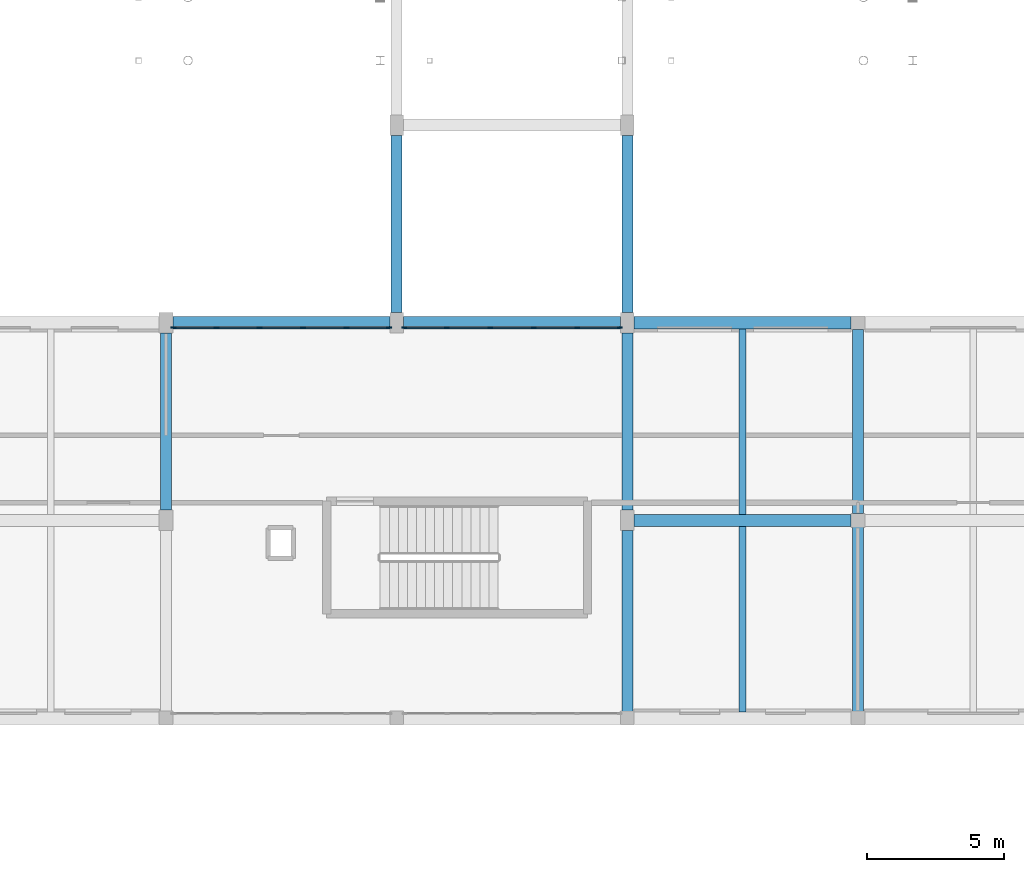
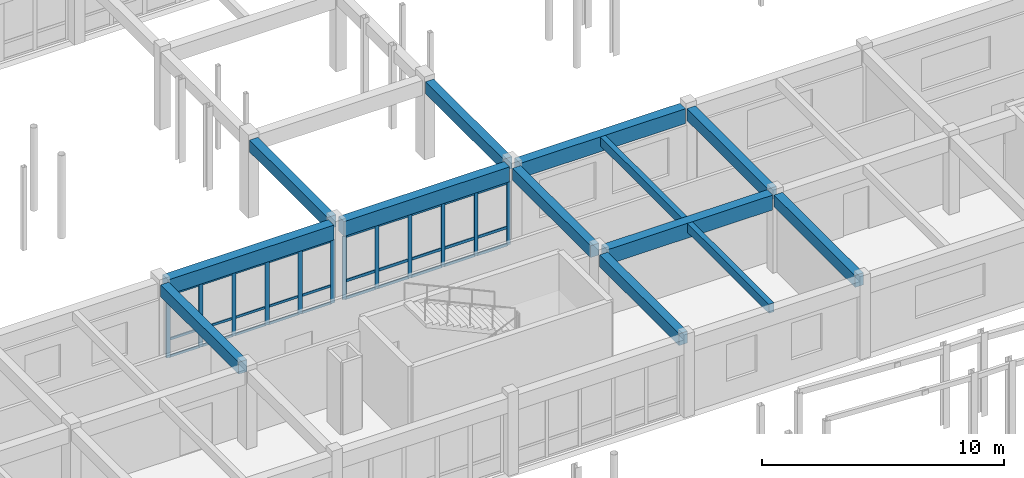
# One storey, part 46 of 90: 42 members, 13 beams, 2 elements without a shape of their own.
"""IFC4 building model written with IfcOpenShell, lengths in metres."""

from ifc_helpers import new_model, si_unit, direction, frame, origin, origin_2d, place, context, subcontext, project, spatial, rectangle, extrude, material, material_profile, profile_set, type_object, element, aggregate, save


model = new_model("IFC4")

# Units and contexts
model_context = context("Model", 3, precision=1e-05, world=origin(), true_north=direction((0.0, 1.0)))
body_context = subcontext(model_context, "Body", "Model", "MODEL_VIEW")
ifc_project = project(units=[si_unit("LENGTHUNIT", "METRE"), si_unit("AREAUNIT", "SQUARE_METRE"), si_unit("VOLUMEUNIT", "CUBIC_METRE"), si_unit("PLANEANGLEUNIT", "RADIAN"), si_unit("MASSUNIT", "GRAM", prefix="KILO")], contexts=[model_context])

# Site, building, storey
site_placement = place(None, origin())
site = spatial("IfcSite", under=ifc_project, at=site_placement, CompositionType="ELEMENT")
building_placement = place(site_placement, origin())
building = spatial("IfcBuilding", under=site, at=building_placement, Name="Malvenik Polytechnic", CompositionType="ELEMENT")
storey_placement = place(building_placement, frame((0.0, 0.0, 9.300048828125)))
storey = spatial("IfcBuildingStorey", under=building, at=storey_placement, Name="L02", CompositionType="ELEMENT", Elevation=9.300048828125)

# Curtain wall, members
ifc_material_1 = material(Name="Anodised aluminium 6060-T6", Category="aluminium")
curtain_wall_type = type_object("IfcCurtainWallType", Name="ARC-CW-CW-03", PredefinedType="NOTDEFINED", material=ifc_material_1)
curtain_wall_1_placement = place(storey_placement, origin())
curtain_wall_1 = element("IfcCurtainWall", 1, at=curtain_wall_1_placement, inside=storey, type_object=curtain_wall_type, Name="Unitised Curtain Wall CW-03 L02 #154", PredefinedType="NOTDEFINED")
ifc_material_2 = material(Name="Anodised aluminium", Category="aluminium")
ifc_material_profile_1 = material_profile(ifc_material_2, rectangle(XDim=0.06005859375, YDim=0.179931640625, at=origin_2d()), Name="ALU MULLION 60x180")
ifc_profile_set_1 = profile_set([ifc_material_profile_1], Name="Anodised aluminium")
member_type_1 = type_object("IfcMemberType", Name="ARC-CWM-180", PredefinedType="MULLION", material=ifc_profile_set_1)
member_1_placement = place(storey_placement, frame((75.8779296875, 93.429931640625, 0.0), z_axis=(0.0, 0.0, 1.0), x_axis=(0.0, 1.0, 0.0)))
member_1 = element("IfcMember", 2, at=member_1_placement, type_object=member_type_1, Name="CW-03 mullion 1", PredefinedType="MULLION", context=body_context, shape_type="SweptSolid", body=[
    extrude(rectangle(XDim=0.06005859375, YDim=0.179931640625, at=origin_2d()), origin(), (0.0, 0.0, 1.0), 3.179931640625),
])
member_2_placement = place(storey_placement, frame((77.4287109375, 93.429931640625, 0.0), z_axis=(0.0, 0.0, 1.0), x_axis=(0.0, 1.0, 0.0)))
member_2 = element("IfcMember", 3, at=member_2_placement, type_object=member_type_1, Name="CW-03 mullion 2", PredefinedType="MULLION", context=body_context, shape_type="SweptSolid", body=[
    extrude(rectangle(XDim=0.06005859375, YDim=0.179931640625, at=origin_2d()), origin(), (0.0, 0.0, 1.0), 3.179931640625),
])
member_3_placement = place(storey_placement, frame((79.009521484375, 93.429931640625, 0.0), z_axis=(0.0, 0.0, 1.0), x_axis=(0.0, 1.0, 0.0)))
member_3 = element("IfcMember", 4, at=member_3_placement, type_object=member_type_1, Name="CW-03 mullion 3", PredefinedType="MULLION", context=body_context, shape_type="SweptSolid", body=[
    extrude(rectangle(XDim=0.06005859375, YDim=0.179931640625, at=origin_2d()), origin(), (0.0, 0.0, 1.0), 3.179931640625),
])
member_4_placement = place(storey_placement, frame((80.59033203125, 93.429931640625, 0.0), z_axis=(0.0, 0.0, 1.0), x_axis=(0.0, 1.0, 0.0)))
member_4 = element("IfcMember", 5, at=member_4_placement, type_object=member_type_1, Name="CW-03 mullion 4", PredefinedType="MULLION", context=body_context, shape_type="SweptSolid", body=[
    extrude(rectangle(XDim=0.06005859375, YDim=0.179931640625, at=origin_2d()), origin(), (0.0, 0.0, 1.0), 3.179931640625),
])
member_5_placement = place(storey_placement, frame((82.171142578125, 93.429931640625, 0.0), z_axis=(0.0, 0.0, 1.0), x_axis=(0.0, 1.0, 0.0)))
member_5 = element("IfcMember", 6, at=member_5_placement, type_object=member_type_1, Name="CW-03 mullion 5", PredefinedType="MULLION", context=body_context, shape_type="SweptSolid", body=[
    extrude(rectangle(XDim=0.06005859375, YDim=0.179931640625, at=origin_2d()), origin(), (0.0, 0.0, 1.0), 3.179931640625),
])
member_6_placement = place(storey_placement, frame((83.721923828125, 93.429931640625, 0.0), z_axis=(0.0, 0.0, 1.0), x_axis=(0.0, 1.0, 0.0)))
member_6 = element("IfcMember", 7, at=member_6_placement, type_object=member_type_1, Name="CW-03 mullion 6", PredefinedType="MULLION", context=body_context, shape_type="SweptSolid", body=[
    extrude(rectangle(XDim=0.06005859375, YDim=0.179931640625, at=origin_2d()), origin(), (0.0, 0.0, 1.0), 3.179931640625),
])

curtain_wall_2_placement = place(storey_placement, origin())
curtain_wall_2 = element("IfcCurtainWall", 8, at=curtain_wall_2_placement, inside=storey, type_object=curtain_wall_type, Name="Unitised Curtain Wall CW-03 L02 #153", PredefinedType="NOTDEFINED")
ifc_material_profile_2 = material_profile(ifc_material_2, rectangle(XDim=0.06005859375, YDim=0.199951171875, at=origin_2d()), Name="ALU MULLION 60x200")
ifc_profile_set_2 = profile_set([ifc_material_profile_2], Name="Anodised aluminium")
member_type_2 = type_object("IfcMemberType", Name="ARC-CWM-200", PredefinedType="MULLION", material=ifc_profile_set_2)
member_7_placement = place(storey_placement, frame((67.47802734375, 93.429931640625, 0.0), z_axis=(0.0, 0.0, 1.0), x_axis=(0.0, 1.0, 0.0)))
member_7 = element("IfcMember", 9, at=member_7_placement, type_object=member_type_2, Name="CW-03 mullion 1", PredefinedType="MULLION", context=body_context, shape_type="SweptSolid", body=[
    extrude(rectangle(XDim=0.06005859375, YDim=0.199951171875, at=origin_2d()), origin(), (0.0, 0.0, 1.0), 3.179931640625),
])
member_8_placement = place(storey_placement, frame((69.02880859375, 93.429931640625, 0.0), z_axis=(0.0, 0.0, 1.0), x_axis=(0.0, 1.0, 0.0)))
member_8 = element("IfcMember", 10, at=member_8_placement, type_object=member_type_2, Name="CW-03 mullion 2", PredefinedType="MULLION", context=body_context, shape_type="SweptSolid", body=[
    extrude(rectangle(XDim=0.06005859375, YDim=0.199951171875, at=origin_2d()), origin(), (0.0, 0.0, 1.0), 3.179931640625),
])
member_9_placement = place(storey_placement, frame((70.609619140625, 93.429931640625, 0.0), z_axis=(0.0, 0.0, 1.0), x_axis=(0.0, 1.0, 0.0)))
member_9 = element("IfcMember", 11, at=member_9_placement, type_object=member_type_2, Name="CW-03 mullion 3", PredefinedType="MULLION", context=body_context, shape_type="SweptSolid", body=[
    extrude(rectangle(XDim=0.06005859375, YDim=0.199951171875, at=origin_2d()), origin(), (0.0, 0.0, 1.0), 3.179931640625),
])
member_10_placement = place(storey_placement, frame((72.1904296875, 93.429931640625, 0.0), z_axis=(0.0, 0.0, 1.0), x_axis=(0.0, 1.0, 0.0)))
member_10 = element("IfcMember", 12, at=member_10_placement, type_object=member_type_2, Name="CW-03 mullion 4", PredefinedType="MULLION", context=body_context, shape_type="SweptSolid", body=[
    extrude(rectangle(XDim=0.06005859375, YDim=0.199951171875, at=origin_2d()), origin(), (0.0, 0.0, 1.0), 3.179931640625),
])
member_11_placement = place(storey_placement, frame((73.771240234375, 93.429931640625, 0.0), z_axis=(0.0, 0.0, 1.0), x_axis=(0.0, 1.0, 0.0)))
member_11 = element("IfcMember", 13, at=member_11_placement, type_object=member_type_2, Name="CW-03 mullion 5", PredefinedType="MULLION", context=body_context, shape_type="SweptSolid", body=[
    extrude(rectangle(XDim=0.06005859375, YDim=0.199951171875, at=origin_2d()), origin(), (0.0, 0.0, 1.0), 3.179931640625),
])
member_12_placement = place(storey_placement, frame((75.322021484375, 93.429931640625, 0.0), z_axis=(0.0, 0.0, 1.0), x_axis=(0.0, 1.0, 0.0)))
member_12 = element("IfcMember", 14, at=member_12_placement, type_object=member_type_2, Name="CW-03 mullion 6", PredefinedType="MULLION", context=body_context, shape_type="SweptSolid", body=[
    extrude(rectangle(XDim=0.06005859375, YDim=0.199951171875, at=origin_2d()), origin(), (0.0, 0.0, 1.0), 3.179931640625),
])
ifc_material_profile_3 = material_profile(ifc_material_2, rectangle(XDim=0.06005859375, YDim=0.1201171875, at=origin_2d()), Name="ALU TRANSOM 60x120")
ifc_profile_set_3 = profile_set([ifc_material_profile_3], Name="Anodised aluminium")
member_type_3 = type_object("IfcMemberType", Name="ARC-CWT-120", PredefinedType="USERDEFINED", material=ifc_profile_set_3)
member_13_placement = place(storey_placement, frame((67.508056640625, 93.429931640625, 0.030029296875), z_axis=(1.0, 0.0, 0.0), x_axis=(0.0, 1.0, 0.0)))
member_13 = element("IfcMember", 15, at=member_13_placement, type_object=member_type_3, Name="CW-03 transom 1.1", ObjectType="TRANSOM", PredefinedType="USERDEFINED", context=body_context, shape_type="SweptSolid", body=[
    extrude(rectangle(XDim=0.06005859375, YDim=0.1201171875, at=origin_2d()), origin(), (0.0, 0.0, 1.0), 1.49072265625),
])
member_14_placement = place(storey_placement, frame((67.508056640625, 93.429931640625, 0.89990234375), z_axis=(1.0, 0.0, 0.0), x_axis=(0.0, 1.0, 0.0)))
member_14 = element("IfcMember", 16, at=member_14_placement, type_object=member_type_3, Name="CW-03 transom 1.2", ObjectType="TRANSOM", PredefinedType="USERDEFINED", context=body_context, shape_type="SweptSolid", body=[
    extrude(rectangle(XDim=0.06005859375, YDim=0.1201171875, at=origin_2d()), origin(), (0.0, 0.0, 1.0), 1.49072265625),
])
member_15_placement = place(storey_placement, frame((67.508056640625, 93.429931640625, 3.14990234375), z_axis=(1.0, 0.0, 0.0), x_axis=(0.0, 1.0, 0.0)))
member_15 = element("IfcMember", 17, at=member_15_placement, type_object=member_type_3, Name="CW-03 transom 1.3", ObjectType="TRANSOM", PredefinedType="USERDEFINED", context=body_context, shape_type="SweptSolid", body=[
    extrude(rectangle(XDim=0.06005859375, YDim=0.1201171875, at=origin_2d()), origin(), (0.0, 0.0, 1.0), 1.49072265625),
])
member_16_placement = place(storey_placement, frame((69.058837890625, 93.429931640625, 0.030029296875), z_axis=(1.0, 0.0, 0.0), x_axis=(0.0, 1.0, 0.0)))
member_16 = element("IfcMember", 18, at=member_16_placement, type_object=member_type_3, Name="CW-03 transom 2.1", ObjectType="TRANSOM", PredefinedType="USERDEFINED", context=body_context, shape_type="SweptSolid", body=[
    extrude(rectangle(XDim=0.06005859375, YDim=0.1201171875, at=origin_2d()), origin(), (0.0, 0.0, 1.0), 1.520751953125),
])
member_17_placement = place(storey_placement, frame((69.058837890625, 93.429931640625, 0.89990234375), z_axis=(1.0, 0.0, 0.0), x_axis=(0.0, 1.0, 0.0)))
member_17 = element("IfcMember", 19, at=member_17_placement, type_object=member_type_3, Name="CW-03 transom 2.2", ObjectType="TRANSOM", PredefinedType="USERDEFINED", context=body_context, shape_type="SweptSolid", body=[
    extrude(rectangle(XDim=0.06005859375, YDim=0.1201171875, at=origin_2d()), origin(), (0.0, 0.0, 1.0), 1.520751953125),
])
member_18_placement = place(storey_placement, frame((69.058837890625, 93.429931640625, 3.14990234375), z_axis=(1.0, 0.0, 0.0), x_axis=(0.0, 1.0, 0.0)))
member_18 = element("IfcMember", 20, at=member_18_placement, type_object=member_type_3, Name="CW-03 transom 2.3", ObjectType="TRANSOM", PredefinedType="USERDEFINED", context=body_context, shape_type="SweptSolid", body=[
    extrude(rectangle(XDim=0.06005859375, YDim=0.1201171875, at=origin_2d()), origin(), (0.0, 0.0, 1.0), 1.520751953125),
])
member_19_placement = place(storey_placement, frame((70.6396484375, 93.429931640625, 0.030029296875), z_axis=(1.0, 0.0, 0.0), x_axis=(0.0, 1.0, 0.0)))
member_19 = element("IfcMember", 21, at=member_19_placement, type_object=member_type_3, Name="CW-03 transom 3.1", ObjectType="TRANSOM", PredefinedType="USERDEFINED", context=body_context, shape_type="SweptSolid", body=[
    extrude(rectangle(XDim=0.06005859375, YDim=0.1201171875, at=origin_2d()), origin(), (0.0, 0.0, 1.0), 1.520751953125),
])
member_20_placement = place(storey_placement, frame((70.6396484375, 93.429931640625, 0.89990234375), z_axis=(1.0, 0.0, 0.0), x_axis=(0.0, 1.0, 0.0)))
member_20 = element("IfcMember", 22, at=member_20_placement, type_object=member_type_3, Name="CW-03 transom 3.2", ObjectType="TRANSOM", PredefinedType="USERDEFINED", context=body_context, shape_type="SweptSolid", body=[
    extrude(rectangle(XDim=0.06005859375, YDim=0.1201171875, at=origin_2d()), origin(), (0.0, 0.0, 1.0), 1.520751953125),
])
member_21_placement = place(storey_placement, frame((70.6396484375, 93.429931640625, 3.14990234375), z_axis=(1.0, 0.0, 0.0), x_axis=(0.0, 1.0, 0.0)))
member_21 = element("IfcMember", 23, at=member_21_placement, type_object=member_type_3, Name="CW-03 transom 3.3", ObjectType="TRANSOM", PredefinedType="USERDEFINED", context=body_context, shape_type="SweptSolid", body=[
    extrude(rectangle(XDim=0.06005859375, YDim=0.1201171875, at=origin_2d()), origin(), (0.0, 0.0, 1.0), 1.520751953125),
])
member_22_placement = place(storey_placement, frame((72.220458984375, 93.429931640625, 0.030029296875), z_axis=(1.0, 0.0, 0.0), x_axis=(0.0, 1.0, 0.0)))
member_22 = element("IfcMember", 24, at=member_22_placement, type_object=member_type_3, Name="CW-03 transom 4.1", ObjectType="TRANSOM", PredefinedType="USERDEFINED", context=body_context, shape_type="SweptSolid", body=[
    extrude(rectangle(XDim=0.06005859375, YDim=0.1201171875, at=origin_2d()), origin(), (0.0, 0.0, 1.0), 1.520751953125),
])
member_23_placement = place(storey_placement, frame((72.220458984375, 93.429931640625, 0.89990234375), z_axis=(1.0, 0.0, 0.0), x_axis=(0.0, 1.0, 0.0)))
member_23 = element("IfcMember", 25, at=member_23_placement, type_object=member_type_3, Name="CW-03 transom 4.2", ObjectType="TRANSOM", PredefinedType="USERDEFINED", context=body_context, shape_type="SweptSolid", body=[
    extrude(rectangle(XDim=0.06005859375, YDim=0.1201171875, at=origin_2d()), origin(), (0.0, 0.0, 1.0), 1.520751953125),
])
member_24_placement = place(storey_placement, frame((72.220458984375, 93.429931640625, 3.14990234375), z_axis=(1.0, 0.0, 0.0), x_axis=(0.0, 1.0, 0.0)))
member_24 = element("IfcMember", 26, at=member_24_placement, type_object=member_type_3, Name="CW-03 transom 4.3", ObjectType="TRANSOM", PredefinedType="USERDEFINED", context=body_context, shape_type="SweptSolid", body=[
    extrude(rectangle(XDim=0.06005859375, YDim=0.1201171875, at=origin_2d()), origin(), (0.0, 0.0, 1.0), 1.520751953125),
])
member_25_placement = place(storey_placement, frame((73.80126953125, 93.429931640625, 0.030029296875), z_axis=(1.0, 0.0, 0.0), x_axis=(0.0, 1.0, 0.0)))
member_25 = element("IfcMember", 27, at=member_25_placement, type_object=member_type_3, Name="CW-03 transom 5.1", ObjectType="TRANSOM", PredefinedType="USERDEFINED", context=body_context, shape_type="SweptSolid", body=[
    extrude(rectangle(XDim=0.06005859375, YDim=0.1201171875, at=origin_2d()), origin(), (0.0, 0.0, 1.0), 1.49072265625),
])
member_26_placement = place(storey_placement, frame((73.80126953125, 93.429931640625, 0.89990234375), z_axis=(1.0, 0.0, 0.0), x_axis=(0.0, 1.0, 0.0)))
member_26 = element("IfcMember", 28, at=member_26_placement, type_object=member_type_3, Name="CW-03 transom 5.2", ObjectType="TRANSOM", PredefinedType="USERDEFINED", context=body_context, shape_type="SweptSolid", body=[
    extrude(rectangle(XDim=0.06005859375, YDim=0.1201171875, at=origin_2d()), origin(), (0.0, 0.0, 1.0), 1.49072265625),
])
member_27_placement = place(storey_placement, frame((73.80126953125, 93.429931640625, 3.14990234375), z_axis=(1.0, 0.0, 0.0), x_axis=(0.0, 1.0, 0.0)))
member_27 = element("IfcMember", 29, at=member_27_placement, type_object=member_type_3, Name="CW-03 transom 5.3", ObjectType="TRANSOM", PredefinedType="USERDEFINED", context=body_context, shape_type="SweptSolid", body=[
    extrude(rectangle(XDim=0.06005859375, YDim=0.1201171875, at=origin_2d()), origin(), (0.0, 0.0, 1.0), 1.49072265625),
])
aggregate(curtain_wall_2, [member_7, member_8, member_9, member_10, member_11, member_12, member_13, member_14, member_15, member_16, member_17, member_18, member_19, member_20, member_21, member_22, member_23, member_24, member_25, member_26, member_27])

# Member
ifc_material_profile_4 = material_profile(ifc_material_2, rectangle(XDim=0.06005859375, YDim=0.139892578125, at=origin_2d()), Name="ALU TRANSOM 60x140")
ifc_profile_set_4 = profile_set([ifc_material_profile_4], Name="Anodised aluminium")
member_type_4 = type_object("IfcMemberType", Name="ARC-CWT-140", PredefinedType="USERDEFINED", material=ifc_profile_set_4)
member_28_placement = place(storey_placement, frame((75.907958984375, 93.429931640625, 0.030029296875), z_axis=(1.0, 0.0, 0.0), x_axis=(0.0, 1.0, 0.0)))
member_28 = element("IfcMember", 30, at=member_28_placement, type_object=member_type_4, Name="CW-03 transom 1.1", ObjectType="TRANSOM", PredefinedType="USERDEFINED", context=body_context, shape_type="SweptSolid", body=[
    extrude(rectangle(XDim=0.06005859375, YDim=0.139892578125, at=origin_2d()), origin(), (0.0, 0.0, 1.0), 1.49072265625),
])

member_29_placement = place(storey_placement, frame((75.907958984375, 93.429931640625, 0.89990234375), z_axis=(1.0, 0.0, 0.0), x_axis=(0.0, 1.0, 0.0)))
member_29 = element("IfcMember", 31, at=member_29_placement, type_object=member_type_4, Name="CW-03 transom 1.2", ObjectType="TRANSOM", PredefinedType="USERDEFINED", context=body_context, shape_type="SweptSolid", body=[
    extrude(rectangle(XDim=0.06005859375, YDim=0.139892578125, at=origin_2d()), origin(), (0.0, 0.0, 1.0), 1.49072265625),
])

member_30_placement = place(storey_placement, frame((75.907958984375, 93.429931640625, 3.14990234375), z_axis=(1.0, 0.0, 0.0), x_axis=(0.0, 1.0, 0.0)))
member_30 = element("IfcMember", 32, at=member_30_placement, type_object=member_type_4, Name="CW-03 transom 1.3", ObjectType="TRANSOM", PredefinedType="USERDEFINED", context=body_context, shape_type="SweptSolid", body=[
    extrude(rectangle(XDim=0.06005859375, YDim=0.139892578125, at=origin_2d()), origin(), (0.0, 0.0, 1.0), 1.49072265625),
])

member_31_placement = place(storey_placement, frame((77.458740234375, 93.429931640625, 0.030029296875), z_axis=(1.0, 0.0, 0.0), x_axis=(0.0, 1.0, 0.0)))
member_31 = element("IfcMember", 33, at=member_31_placement, type_object=member_type_4, Name="CW-03 transom 2.1", ObjectType="TRANSOM", PredefinedType="USERDEFINED", context=body_context, shape_type="SweptSolid", body=[
    extrude(rectangle(XDim=0.06005859375, YDim=0.139892578125, at=origin_2d()), origin(), (0.0, 0.0, 1.0), 1.520751953125),
])

member_32_placement = place(storey_placement, frame((77.458740234375, 93.429931640625, 0.89990234375), z_axis=(1.0, 0.0, 0.0), x_axis=(0.0, 1.0, 0.0)))
member_32 = element("IfcMember", 34, at=member_32_placement, type_object=member_type_4, Name="CW-03 transom 2.2", ObjectType="TRANSOM", PredefinedType="USERDEFINED", context=body_context, shape_type="SweptSolid", body=[
    extrude(rectangle(XDim=0.06005859375, YDim=0.139892578125, at=origin_2d()), origin(), (0.0, 0.0, 1.0), 1.520751953125),
])

member_33_placement = place(storey_placement, frame((77.458740234375, 93.429931640625, 3.14990234375), z_axis=(1.0, 0.0, 0.0), x_axis=(0.0, 1.0, 0.0)))
member_33 = element("IfcMember", 35, at=member_33_placement, type_object=member_type_4, Name="CW-03 transom 2.3", ObjectType="TRANSOM", PredefinedType="USERDEFINED", context=body_context, shape_type="SweptSolid", body=[
    extrude(rectangle(XDim=0.06005859375, YDim=0.139892578125, at=origin_2d()), origin(), (0.0, 0.0, 1.0), 1.520751953125),
])

member_34_placement = place(storey_placement, frame((79.03955078125, 93.429931640625, 0.030029296875), z_axis=(1.0, 0.0, 0.0), x_axis=(0.0, 1.0, 0.0)))
member_34 = element("IfcMember", 36, at=member_34_placement, type_object=member_type_4, Name="CW-03 transom 3.1", ObjectType="TRANSOM", PredefinedType="USERDEFINED", context=body_context, shape_type="SweptSolid", body=[
    extrude(rectangle(XDim=0.06005859375, YDim=0.139892578125, at=origin_2d()), origin(), (0.0, 0.0, 1.0), 1.520751953125),
])

member_35_placement = place(storey_placement, frame((79.03955078125, 93.429931640625, 0.89990234375), z_axis=(1.0, 0.0, 0.0), x_axis=(0.0, 1.0, 0.0)))
member_35 = element("IfcMember", 37, at=member_35_placement, type_object=member_type_4, Name="CW-03 transom 3.2", ObjectType="TRANSOM", PredefinedType="USERDEFINED", context=body_context, shape_type="SweptSolid", body=[
    extrude(rectangle(XDim=0.06005859375, YDim=0.139892578125, at=origin_2d()), origin(), (0.0, 0.0, 1.0), 1.520751953125),
])

member_36_placement = place(storey_placement, frame((79.03955078125, 93.429931640625, 3.14990234375), z_axis=(1.0, 0.0, 0.0), x_axis=(0.0, 1.0, 0.0)))
member_36 = element("IfcMember", 38, at=member_36_placement, type_object=member_type_4, Name="CW-03 transom 3.3", ObjectType="TRANSOM", PredefinedType="USERDEFINED", context=body_context, shape_type="SweptSolid", body=[
    extrude(rectangle(XDim=0.06005859375, YDim=0.139892578125, at=origin_2d()), origin(), (0.0, 0.0, 1.0), 1.520751953125),
])

member_37_placement = place(storey_placement, frame((80.620361328125, 93.429931640625, 0.030029296875), z_axis=(1.0, 0.0, 0.0), x_axis=(0.0, 1.0, 0.0)))
member_37 = element("IfcMember", 39, at=member_37_placement, type_object=member_type_4, Name="CW-03 transom 4.1", ObjectType="TRANSOM", PredefinedType="USERDEFINED", context=body_context, shape_type="SweptSolid", body=[
    extrude(rectangle(XDim=0.06005859375, YDim=0.139892578125, at=origin_2d()), origin(), (0.0, 0.0, 1.0), 1.520751953125),
])

member_38_placement = place(storey_placement, frame((80.620361328125, 93.429931640625, 0.89990234375), z_axis=(1.0, 0.0, 0.0), x_axis=(0.0, 1.0, 0.0)))
member_38 = element("IfcMember", 40, at=member_38_placement, type_object=member_type_4, Name="CW-03 transom 4.2", ObjectType="TRANSOM", PredefinedType="USERDEFINED", context=body_context, shape_type="SweptSolid", body=[
    extrude(rectangle(XDim=0.06005859375, YDim=0.139892578125, at=origin_2d()), origin(), (0.0, 0.0, 1.0), 1.520751953125),
])

member_39_placement = place(storey_placement, frame((80.620361328125, 93.429931640625, 3.14990234375), z_axis=(1.0, 0.0, 0.0), x_axis=(0.0, 1.0, 0.0)))
member_39 = element("IfcMember", 41, at=member_39_placement, type_object=member_type_4, Name="CW-03 transom 4.3", ObjectType="TRANSOM", PredefinedType="USERDEFINED", context=body_context, shape_type="SweptSolid", body=[
    extrude(rectangle(XDim=0.06005859375, YDim=0.139892578125, at=origin_2d()), origin(), (0.0, 0.0, 1.0), 1.520751953125),
])

member_40_placement = place(storey_placement, frame((82.201171875, 93.429931640625, 0.030029296875), z_axis=(1.0, 0.0, 0.0), x_axis=(0.0, 1.0, 0.0)))
member_40 = element("IfcMember", 42, at=member_40_placement, type_object=member_type_4, Name="CW-03 transom 5.1", ObjectType="TRANSOM", PredefinedType="USERDEFINED", context=body_context, shape_type="SweptSolid", body=[
    extrude(rectangle(XDim=0.06005859375, YDim=0.139892578125, at=origin_2d()), origin(), (0.0, 0.0, 1.0), 1.49072265625),
])

member_41_placement = place(storey_placement, frame((82.201171875, 93.429931640625, 0.89990234375), z_axis=(1.0, 0.0, 0.0), x_axis=(0.0, 1.0, 0.0)))
member_41 = element("IfcMember", 43, at=member_41_placement, type_object=member_type_4, Name="CW-03 transom 5.2", ObjectType="TRANSOM", PredefinedType="USERDEFINED", context=body_context, shape_type="SweptSolid", body=[
    extrude(rectangle(XDim=0.06005859375, YDim=0.139892578125, at=origin_2d()), origin(), (0.0, 0.0, 1.0), 1.49072265625),
])

member_42_placement = place(storey_placement, frame((82.201171875, 93.429931640625, 3.14990234375), z_axis=(1.0, 0.0, 0.0), x_axis=(0.0, 1.0, 0.0)))
member_42 = element("IfcMember", 44, at=member_42_placement, type_object=member_type_4, Name="CW-03 transom 5.3", ObjectType="TRANSOM", PredefinedType="USERDEFINED", context=body_context, shape_type="SweptSolid", body=[
    extrude(rectangle(XDim=0.06005859375, YDim=0.139892578125, at=origin_2d()), origin(), (0.0, 0.0, 1.0), 1.49072265625),
])

aggregate(curtain_wall_1, [member_1, member_2, member_3, member_4, member_5, member_6, member_28, member_29, member_30, member_31, member_32, member_33, member_34, member_35, member_36, member_37, member_38, member_39, member_40, member_41, member_42])

# Beams
ifc_material_3 = material(Name="Concrete C35/45", Category="concrete")
ifc_material_profile_5 = material_profile(ifc_material_3, rectangle(XDim=0.449951171875, YDim=0.75, at=origin_2d()), Name="RC BM 450x750")
ifc_profile_set_5 = profile_set([ifc_material_profile_5], Name="Concrete C35/45")
beam_type_1 = type_object("IfcBeamType", Name="STR-BM-B-03", PredefinedType="BEAM", material=ifc_profile_set_5)
for number, where, z_axis, x_axis, name in (
    (45, (84.248046875, 86.39990234375, 3.56494140625), (1.0, 0.0, 0.0), (0.0, 1.0, 0.0), "Primary Beam B-03 L02 #1398"),
    (46, (75.847900390625, 93.60009765625, 3.56494140625), (1.0, 0.0, 0.0), (0.0, 1.0, 0.0), "Primary Beam B-03 L02 #1413"),
):
    element("IfcBeam", number, at=place(storey_placement, frame(where, z_axis=z_axis, x_axis=x_axis)), inside=storey, type_object=beam_type_1, Name=name, PredefinedType="BEAM", context=body_context, shape_type="SweptSolid", body=[
        extrude(rectangle(XDim=0.449951171875, YDim=0.75, at=origin_2d()), origin(), (0.0, 0.0, 1.0), 7.904052734375),
    ])
ifc_material_profile_6 = material_profile(ifc_material_3, rectangle(XDim=0.39990234375, YDim=0.60009765625, at=origin_2d()), Name="RC BM 400x600")
ifc_profile_set_6 = profile_set([ifc_material_profile_6], Name="Concrete C35/45")
beam_type_2 = type_object("IfcBeamType", Name="STR-BM-B-06", PredefinedType="BEAM", material=ifc_profile_set_6)
for number, where, z_axis, x_axis, name in (
    (47, (67.199951171875, 86.77294921875, 3.639892578125), (0.0, 1.0, 0.0), (-1.0, 0.0, 0.0), "Transverse Beam B-06 L02 #1504"),
    (48, (75.60009765625, 93.972900390625, 3.639892578125), (0.0, 1.0, 0.0), (-1.0, 0.0, 0.0), "Transverse Beam B-06 L02 #1511"),
):
    element("IfcBeam", number, at=place(storey_placement, frame(where, z_axis=z_axis, x_axis=x_axis)), inside=storey, type_object=beam_type_2, Name=name, PredefinedType="BEAM", context=body_context, shape_type="SweptSolid", body=[
        extrude(rectangle(XDim=0.39990234375, YDim=0.60009765625, at=origin_2d()), origin(), (0.0, 0.0, 1.0), 6.4541015625),
    ])
beam_placement = place(storey_placement, frame((84.0, 79.447998046875, 3.639892578125), z_axis=(0.0, 1.0, 0.0), x_axis=(-1.0, 0.0, 0.0)))
element("IfcBeam", 49, at=beam_placement, inside=storey, type_object=beam_type_2, Name="Transverse Beam B-06 L02 #1520", PredefinedType="BEAM", context=body_context, shape_type="SweptSolid", body=[
    extrude(rectangle(XDim=0.39990234375, YDim=0.60009765625, at=origin_2d()), origin(), (0.0, 0.0, 1.0), 6.5791015625),
])
for number, where, z_axis, x_axis, name in (
    (50, (84.0, 86.77294921875, 3.639892578125), (0.0, 1.0, 0.0), (-1.0, 0.0, 0.0), "Transverse Beam B-06 L02 #1521"),
    (51, (84.0, 93.972900390625, 3.639892578125), (0.0, 1.0, 0.0), (-1.0, 0.0, 0.0), "Transverse Beam B-06 L02 #1522"),
):
    element("IfcBeam", number, at=place(storey_placement, frame(where, z_axis=z_axis, x_axis=x_axis)), inside=storey, type_object=beam_type_2, Name=name, PredefinedType="BEAM", context=body_context, shape_type="SweptSolid", body=[
        extrude(rectangle(XDim=0.39990234375, YDim=0.60009765625, at=origin_2d()), origin(), (0.0, 0.0, 1.0), 6.4541015625),
    ])
for number, where, z_axis, x_axis, name in (
    (52, (92.39990234375, 79.447998046875, 3.639892578125), (0.0, 1.0, 0.0), (-1.0, 0.0, 0.0), "Transverse Beam B-06 L02 #1531"),
    (53, (92.39990234375, 86.64794921875, 3.639892578125), (0.0, 1.0, 0.0), (-1.0, 0.0, 0.0), "Transverse Beam B-06 L02 #1532"),
):
    element("IfcBeam", number, at=place(storey_placement, frame(where, z_axis=z_axis, x_axis=x_axis)), inside=storey, type_object=beam_type_2, Name=name, PredefinedType="BEAM", context=body_context, shape_type="SweptSolid", body=[
        extrude(rectangle(XDim=0.39990234375, YDim=0.60009765625, at=origin_2d()), origin(), (0.0, 0.0, 1.0), 6.7041015625),
    ])
ifc_material_4 = material(Name="Concrete C30/37", Category="concrete")
ifc_material_profile_7 = material_profile(ifc_material_4, rectangle(XDim=0.25, YDim=0.449951171875, at=origin_2d()), Name="RC JST 250x450")
ifc_profile_set_7 = profile_set([ifc_material_profile_7], Name="Concrete C30/37")
beam_type_3 = type_object("IfcBeamType", Name="STR-BM-J-02", PredefinedType="JOIST", material=ifc_profile_set_7)
for number, where, z_axis, x_axis, name in (
    (54, (88.199951171875, 79.427978515625, 3.71484375), (0.0, 1.0, 0.0), (-1.0, 0.0, 0.0), "Secondary Rib Joist J-02 L02 #1601"),
    (55, (88.199951171875, 86.623046875, 3.71484375), (0.0, 1.0, 0.0), (-1.0, 0.0, 0.0), "Secondary Rib Joist J-02 L02 #1602"),
):
    element("IfcBeam", number, at=place(storey_placement, frame(where, z_axis=z_axis, x_axis=x_axis)), inside=storey, type_object=beam_type_3, Name=name, PredefinedType="JOIST", context=body_context, shape_type="SweptSolid", body=[
        extrude(rectangle(XDim=0.25, YDim=0.449951171875, at=origin_2d()), origin(), (0.0, 0.0, 1.0), 6.7490234375),
    ])
ifc_material_5 = material(Name="Precast concrete C40/50", Category="concrete")
ifc_material_profile_8 = material_profile(ifc_material_5, rectangle(XDim=0.4599609375, YDim=0.75, at=origin_2d()), Name="PC SPN 460x750")
ifc_profile_set_8 = profile_set([ifc_material_profile_8], Name="Precast concrete C40/50")
beam_type_4 = type_object("IfcBeamType", Name="STR-BM-SP-02", PredefinedType="SPANDREL", material=ifc_profile_set_8)
for number, where, z_axis, x_axis, name in (
    (56, (67.447998046875, 93.60009765625, 3.56494140625), (1.0, 0.0, 0.0), (0.0, 1.0, 0.0), "Primary Beam SP-02 L02 #1412"),
    (57, (84.248046875, 93.60009765625, 3.56494140625), (1.0, 0.0, 0.0), (0.0, 1.0, 0.0), "Primary Beam SP-02 L02 #1414"),
):
    element("IfcBeam", number, at=place(storey_placement, frame(where, z_axis=z_axis, x_axis=x_axis)), inside=storey, type_object=beam_type_4, Name=name, PredefinedType="SPANDREL", context=body_context, shape_type="SweptSolid", body=[
        extrude(rectangle(XDim=0.4599609375, YDim=0.75, at=origin_2d()), origin(), (0.0, 0.0, 1.0), 7.904052734375),
    ])

save(model, "model.ifc")
